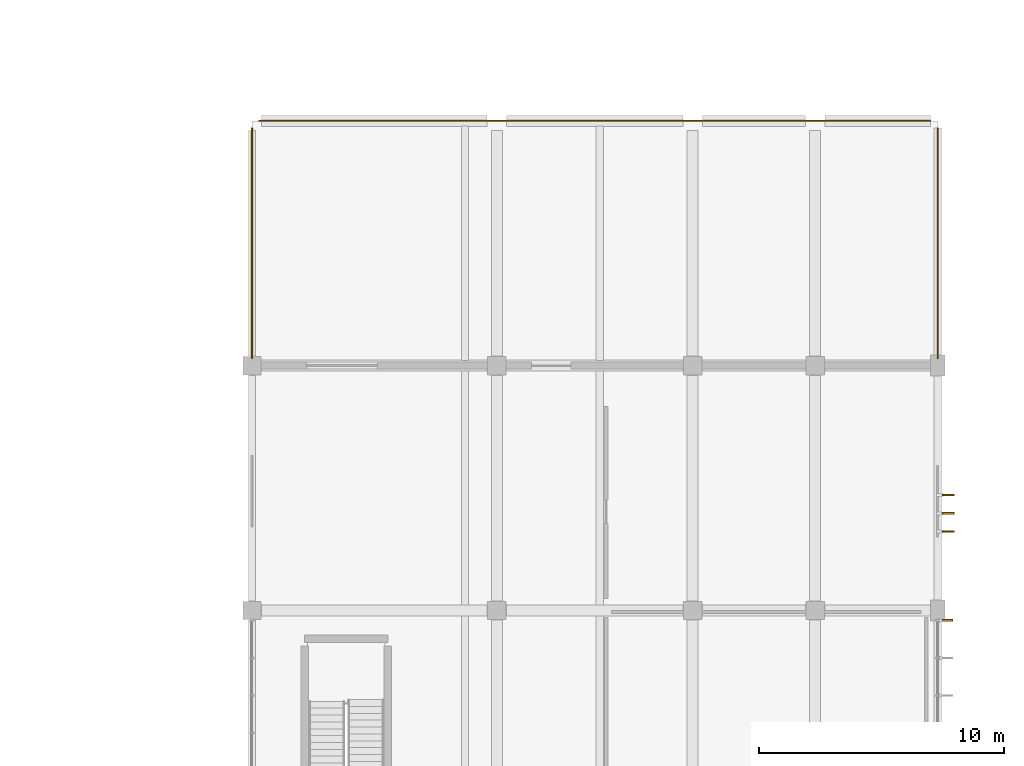
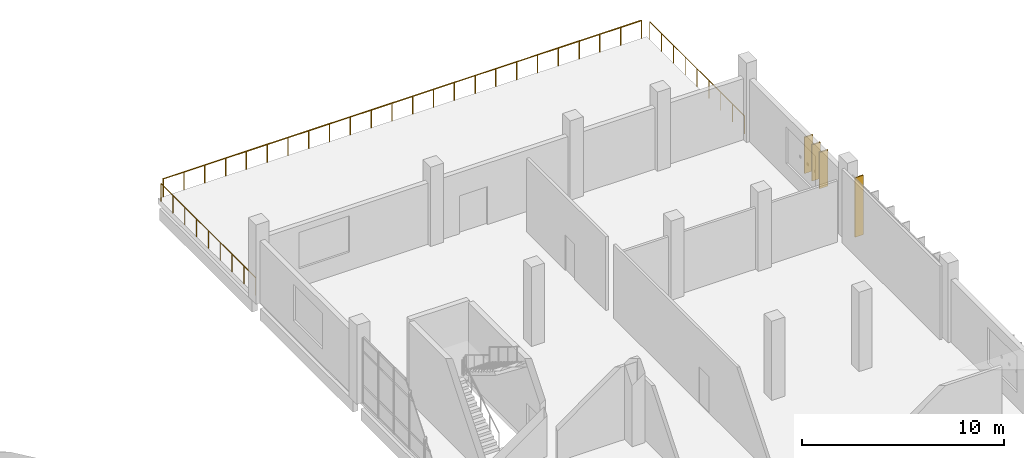
# One storey, part 176 of 179: 4 shading devices, 3 railings.
"""IFC4 building model written with IfcOpenShell, lengths in metres."""

from ifc_helpers import new_model, si_unit, direction, frame, origin, origin_2d, place, context, subcontext, project, spatial, rectangle, circle, extrude, material, layer, layer_set, type_object, element, save


model = new_model("IFC4")

# Units and contexts
model_context = context("Model", 3, precision=1e-05, world=origin(), true_north=direction((0.0, 1.0)))
body_context = subcontext(model_context, "Body", "Model", "MODEL_VIEW")
ifc_project = project(units=[si_unit("LENGTHUNIT", "METRE"), si_unit("AREAUNIT", "SQUARE_METRE"), si_unit("VOLUMEUNIT", "CUBIC_METRE"), si_unit("PLANEANGLEUNIT", "RADIAN"), si_unit("MASSUNIT", "GRAM", prefix="KILO")], contexts=[model_context])

# Site, building, storey
site_placement = place(None, origin())
site = spatial("IfcSite", under=ifc_project, at=site_placement, CompositionType="ELEMENT")
building_placement = place(site_placement, origin())
building = spatial("IfcBuilding", under=site, at=building_placement, Name="Corvandel Quay Wholesale Market", CompositionType="ELEMENT")
storey_placement = place(building_placement, frame((0.0, 0.0, 6.0)))
storey = spatial("IfcBuildingStorey", under=building, at=storey_placement, Name="L01", CompositionType="ELEMENT", Elevation=6.0)

# Railings
ifc_material_1 = material(Name="Hot-dip galvanised painted steel", Category="steel")
ifc_layer = layer(ifc_material_1, 0.06005859375)
ifc_layer_set = layer_set([ifc_layer], Name="Hot-dip galvanised painted steel")
railing_type = type_object("IfcRailingType", Name="Galvanised Steel Guard Balustrade GR01 1100mm", PredefinedType="BALUSTRADE", material=ifc_layer_set)
railing_placement = place(storey_placement, frame((220.300048828125, 110.0, 0.0)))
element("IfcRailing", 1, at=railing_placement, inside=storey, type_object=railing_type, Name="North Setback Terrace Guard L01 GR-0027", PredefinedType="BALUSTRADE", context=body_context, shape_type="SweptSolid", body=[
    extrude(circle(Radius=0.02392578125, at=origin_2d()), frame((0.0, 0.0, 1.076171875), z_axis=(1.0, 0.0, 0.0), x_axis=(0.0, 1.0, 0.0)), (0.0, 0.0, 1.0), 27.39990234375),
    extrude(circle(Radius=0.02099609375, at=origin_2d()), origin(), (0.0, 0.0, 1.0), 1.052001953125),
    extrude(circle(Radius=0.02099609375, at=origin_2d()), frame((1.19140625, 0.0, 0.0)), (0.0, 0.0, 1.0), 1.052001953125),
    extrude(circle(Radius=0.02099609375, at=origin_2d()), frame((2.382568359375, 0.0, 0.0)), (0.0, 0.0, 1.0), 1.052001953125),
    extrude(circle(Radius=0.02099609375, at=origin_2d()), frame((3.573974609375, 0.0, 0.0)), (0.0, 0.0, 1.0), 1.052001953125),
    extrude(circle(Radius=0.02099609375, at=origin_2d()), frame((4.76513671875, 0.0, 0.0)), (0.0, 0.0, 1.0), 1.052001953125),
    extrude(circle(Radius=0.02099609375, at=origin_2d()), frame((5.95654296875, 0.0, 0.0)), (0.0, 0.0, 1.0), 1.052001953125),
    extrude(circle(Radius=0.02099609375, at=origin_2d()), frame((7.147705078125, 0.0, 0.0)), (0.0, 0.0, 1.0), 1.052001953125),
    extrude(circle(Radius=0.02099609375, at=origin_2d()), frame((8.339111328125, 0.0, 0.0)), (0.0, 0.0, 1.0), 1.052001953125),
    extrude(circle(Radius=0.02099609375, at=origin_2d()), frame((9.530517578125, 0.0, 0.0)), (0.0, 0.0, 1.0), 1.052001953125),
    extrude(circle(Radius=0.02099609375, at=origin_2d()), frame((10.7216796875, 0.0, 0.0)), (0.0, 0.0, 1.0), 1.052001953125),
    extrude(circle(Radius=0.02099609375, at=origin_2d()), frame((11.9130859375, 0.0, 0.0)), (0.0, 0.0, 1.0), 1.052001953125),
    extrude(circle(Radius=0.02099609375, at=origin_2d()), frame((13.104248046875, 0.0, 0.0)), (0.0, 0.0, 1.0), 1.052001953125),
    extrude(circle(Radius=0.02099609375, at=origin_2d()), frame((14.295654296875, 0.0, 0.0)), (0.0, 0.0, 1.0), 1.052001953125),
    extrude(circle(Radius=0.02099609375, at=origin_2d()), frame((15.48681640625, 0.0, 0.0)), (0.0, 0.0, 1.0), 1.052001953125),
    extrude(circle(Radius=0.02099609375, at=origin_2d()), frame((16.67822265625, 0.0, 0.0)), (0.0, 0.0, 1.0), 1.052001953125),
    extrude(circle(Radius=0.02099609375, at=origin_2d()), frame((17.869384765625, 0.0, 0.0)), (0.0, 0.0, 1.0), 1.052001953125),
    extrude(circle(Radius=0.02099609375, at=origin_2d()), frame((19.060791015625, 0.0, 0.0)), (0.0, 0.0, 1.0), 1.052001953125),
    extrude(circle(Radius=0.02099609375, at=origin_2d()), frame((20.252197265625, 0.0, 0.0)), (0.0, 0.0, 1.0), 1.052001953125),
    extrude(circle(Radius=0.02099609375, at=origin_2d()), frame((21.443359375, 0.0, 0.0)), (0.0, 0.0, 1.0), 1.052001953125),
    extrude(circle(Radius=0.02099609375, at=origin_2d()), frame((22.634765625, 0.0, 0.0)), (0.0, 0.0, 1.0), 1.052001953125),
    extrude(circle(Radius=0.02099609375, at=origin_2d()), frame((23.825927734375, 0.0, 0.0)), (0.0, 0.0, 1.0), 1.052001953125),
    extrude(circle(Radius=0.02099609375, at=origin_2d()), frame((25.017333984375, 0.0, 0.0)), (0.0, 0.0, 1.0), 1.052001953125),
    extrude(circle(Radius=0.02099609375, at=origin_2d()), frame((26.20849609375, 0.0, 0.0)), (0.0, 0.0, 1.0), 1.052001953125),
    extrude(circle(Radius=0.02099609375, at=origin_2d()), frame((27.39990234375, 0.0, 0.0)), (0.0, 0.0, 1.0), 1.052001953125),
])
for number, where, name in (
    (2, (248.0, 100.300048828125, 0.0), "East Setback Terrace Guard L01 GR-0028"),
    (3, (220.0, 100.300048828125, 0.0), "West Setback Terrace Guard L01 GR-0029"),
):
    element("IfcRailing", number, at=place(storey_placement, frame(where)), inside=storey, type_object=railing_type, Name=name, PredefinedType="BALUSTRADE", context=body_context, shape_type="SweptSolid", body=[
        extrude(circle(Radius=0.02392578125, at=origin_2d()), frame((0.0, 0.0, 1.076171875), z_axis=(0.0, 1.0, 0.0), x_axis=(-1.0, 0.0, 0.0)), (0.0, 0.0, 1.0), 9.39990234375),
        extrude(circle(Radius=0.02099609375, at=origin_2d()), origin(), (0.0, 0.0, 1.0), 1.052001953125),
        extrude(circle(Radius=0.02099609375, at=origin_2d()), frame((0.0, 1.175048828125, 0.0)), (0.0, 0.0, 1.0), 1.052001953125),
        extrude(circle(Radius=0.02099609375, at=origin_2d()), frame((0.0, 2.35009765625, 0.0)), (0.0, 0.0, 1.0), 1.052001953125),
        extrude(circle(Radius=0.02099609375, at=origin_2d()), frame((0.0, 3.52490234375, 0.0)), (0.0, 0.0, 1.0), 1.052001953125),
        extrude(circle(Radius=0.02099609375, at=origin_2d()), frame((0.0, 4.699951171875, 0.0)), (0.0, 0.0, 1.0), 1.052001953125),
        extrude(circle(Radius=0.02099609375, at=origin_2d()), frame((0.0, 5.875, 0.0)), (0.0, 0.0, 1.0), 1.052001953125),
        extrude(circle(Radius=0.02099609375, at=origin_2d()), frame((0.0, 7.0498046875, 0.0)), (0.0, 0.0, 1.0), 1.052001953125),
        extrude(circle(Radius=0.02099609375, at=origin_2d()), frame((0.0, 8.224853515625, 0.0)), (0.0, 0.0, 1.0), 1.052001953125),
        extrude(circle(Radius=0.02099609375, at=origin_2d()), frame((0.0, 9.39990234375, 0.0)), (0.0, 0.0, 1.0), 1.052001953125),
    ])

# Shading devices
ifc_material_2 = material(Name="Bronze anodised extruded aluminium 6063-T6", Category="aluminium")
shading_device_type = type_object("IfcShadingDeviceType", Name="Vertical Anodised Bronze Solar Fin FN01 480mm", PredefinedType="JALOUSIE", material=ifc_material_2)
shading_device_placement = place(storey_placement, frame((248.3798828125, 89.60009765625, 0.175048828125), z_axis=(0.0, 0.0, 1.0), x_axis=(1.0, 0.0, 0.0)))
element("IfcShadingDevice", 4, at=shading_device_placement, inside=storey, type_object=shading_device_type, Name="Solar Fin 0675", PredefinedType="JALOUSIE", context=body_context, shape_type="SweptSolid", body=[
    extrude(rectangle(XDim=0.47998046875, YDim=0.06494140625, at=origin_2d()), origin(), (0.0, 0.0, 1.0), 3.60009765625),
])
for number, where, z_axis, x_axis, name in (
    (5, (248.43994140625, 93.219970703125, 0.89990234375), (0.0, 0.0, 1.0), (1.0, 0.0, 0.0), "Solar Fin 0676"),
    (6, (248.43994140625, 93.969970703125, 0.89990234375), (0.0, 0.0, 1.0), (1.0, 0.0, 0.0), "Solar Fin 0677"),
    (7, (248.43994140625, 94.719970703125, 0.89990234375), (0.0, 0.0, 1.0), (1.0, 0.0, 0.0), "Solar Fin 0678"),
):
    element("IfcShadingDevice", number, at=place(storey_placement, frame(where, z_axis=z_axis, x_axis=x_axis)), inside=storey, type_object=shading_device_type, Name=name, PredefinedType="JALOUSIE", context=body_context, shape_type="SweptSolid", body=[
        extrude(rectangle(XDim=0.47998046875, YDim=0.06494140625, at=origin_2d()), origin(), (0.0, 0.0, 1.0), 2.199951171875),
    ])

save(model, "model.ifc")
